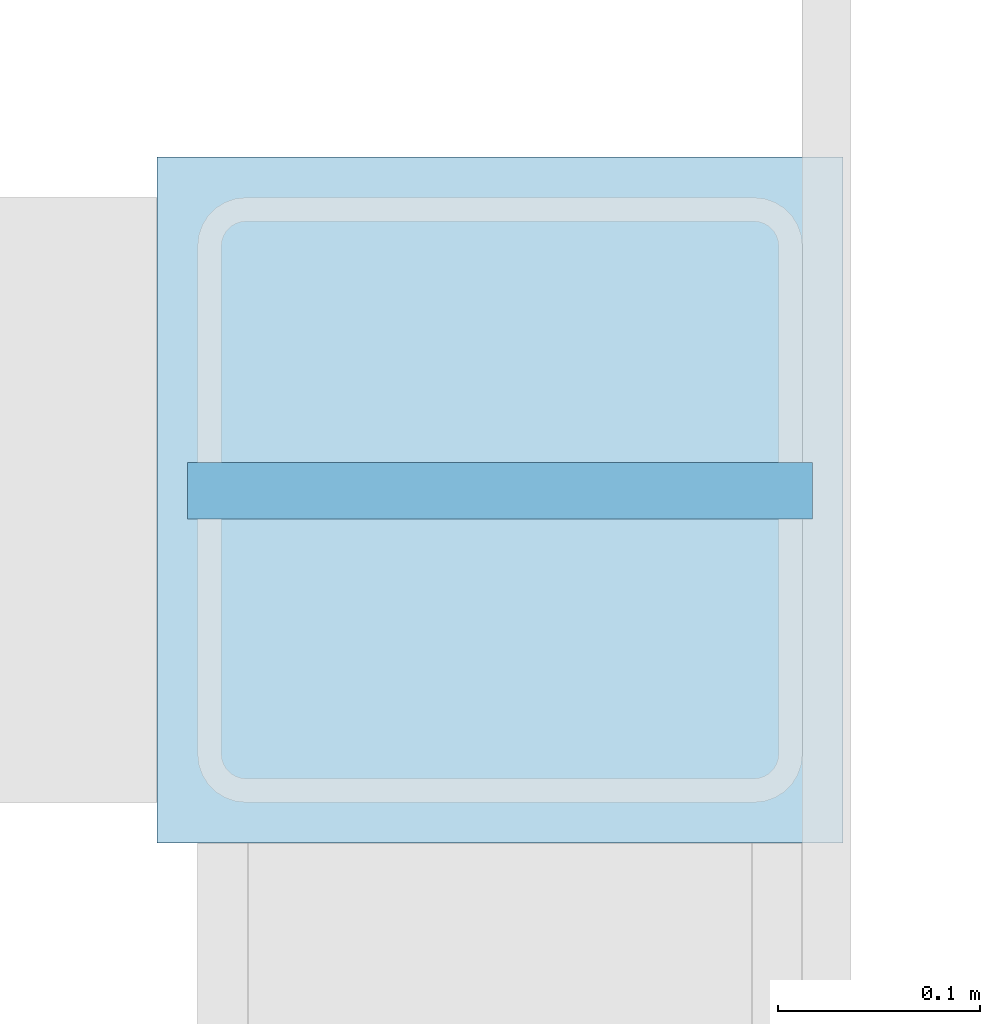
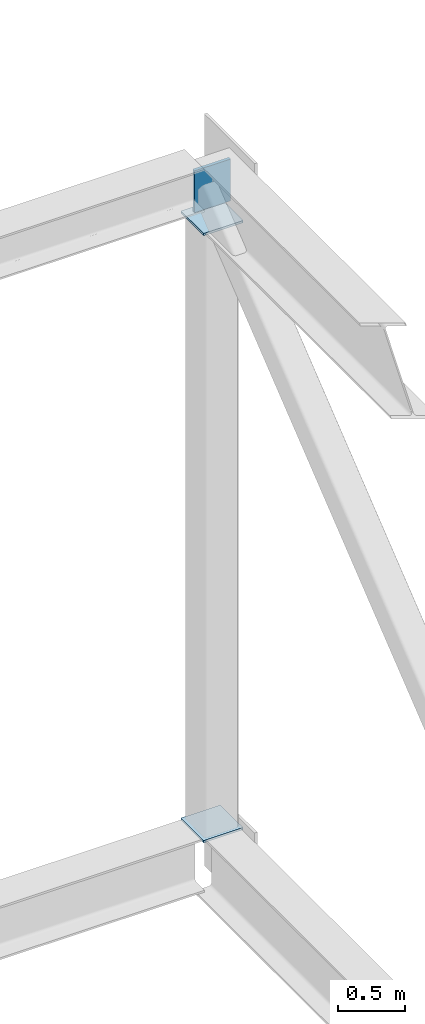
# One storey, part 102 of 135: 3 plates.
"""IFC4 building model written with IfcOpenShell, lengths in metres."""

from ifc_helpers import new_model, si_unit, direction, frame, origin, origin_2d, place, context, subcontext, project, spatial, rectangle, extrude, material, layer, layer_set, type_object, element, save


model = new_model("IFC4")

# Units and contexts
model_context = context("Model", 3, precision=1e-05, world=origin(), true_north=direction((0.0, 1.0)))
body_context = subcontext(model_context, "Body", "Model", "MODEL_VIEW")
ifc_project = project(units=[si_unit("LENGTHUNIT", "METRE"), si_unit("AREAUNIT", "SQUARE_METRE"), si_unit("VOLUMEUNIT", "CUBIC_METRE"), si_unit("PLANEANGLEUNIT", "RADIAN"), si_unit("MASSUNIT", "GRAM", prefix="KILO")], contexts=[model_context])

# Site, building, storey
site_placement = place(None, origin())
site = spatial("IfcSite", under=ifc_project, at=site_placement, CompositionType="ELEMENT")
building_placement = place(site_placement, origin())
building = spatial("IfcBuilding", under=site, at=building_placement, Name="Larkvane Passage Sports Hall", CompositionType="ELEMENT")
storey_placement = place(building_placement, frame((0.0, 0.0, 10.800048828125)))
storey = spatial("IfcBuildingStorey", under=building, at=storey_placement, Name="L02", CompositionType="ELEMENT", Elevation=10.800048828125)

# Plates
ifc_material_1 = material(Name="Steel S355JR", Category="steel")
ifc_layer_1 = layer(ifc_material_1, 0.011962890625)
ifc_layer_set_1 = layer_set([ifc_layer_1], Name="Steel S355JR")
plate_type_1 = type_object("IfcPlateType", Name="PLT-CAP-12", PredefinedType="SHEET", material=ifc_layer_set_1)
plate_placement = place(storey_placement, frame((93.60009765625, 106.8046875, 5.19921875), z_axis=(0.0, 0.0, 1.0), x_axis=(-1.0, 0.0, 0.0)))
element("IfcPlate", 1, at=plate_placement, inside=storey, type_object=plate_type_1, Name="Hollow section sealed end cap plate 0145", PredefinedType="SHEET", context=body_context, shape_type="SweptSolid", body=[
    extrude(rectangle(XDim=0.31005859375, YDim=0.028076171875, at=origin_2d()), origin(), (0.0, 0.0, 1.0), 0.381103515625),
])
ifc_material_2 = material(Name="Steel S460N", Category="steel")
ifc_layer_2 = layer(ifc_material_2, 0.02001953125)
ifc_layer_set_2 = layer_set([ifc_layer_2], Name="Steel S460N")
plate_type_2 = type_object("IfcPlateType", Name="PLT-CAP-20", PredefinedType="SHEET", material=ifc_layer_set_2)
for number, where, z_axis, x_axis, name in (
    (2, (93.60009765625, 106.800048828125, -0.43994140625), (0.0, 0.0, 1.0), (1.0, 0.0, 0.0), "Hollow section sealed end cap plate 0146"),
    (3, (93.60009765625, 106.800048828125, 5.092041015625), (0.0, 0.0, 1.0), (1.0, 0.0, 0.0), "Hollow section sealed end cap plate 0147"),
):
    element("IfcPlate", number, at=place(storey_placement, frame(where, z_axis=z_axis, x_axis=x_axis)), inside=storey, type_object=plate_type_2, Name=name, PredefinedType="SHEET", context=body_context, shape_type="SweptSolid", body=[
        extrude(rectangle(XDim=0.340087890625, YDim=0.340087890625, at=origin_2d()), origin(), (0.0, 0.0, 1.0), 0.02001953125),
    ])

save(model, "model.ifc")
